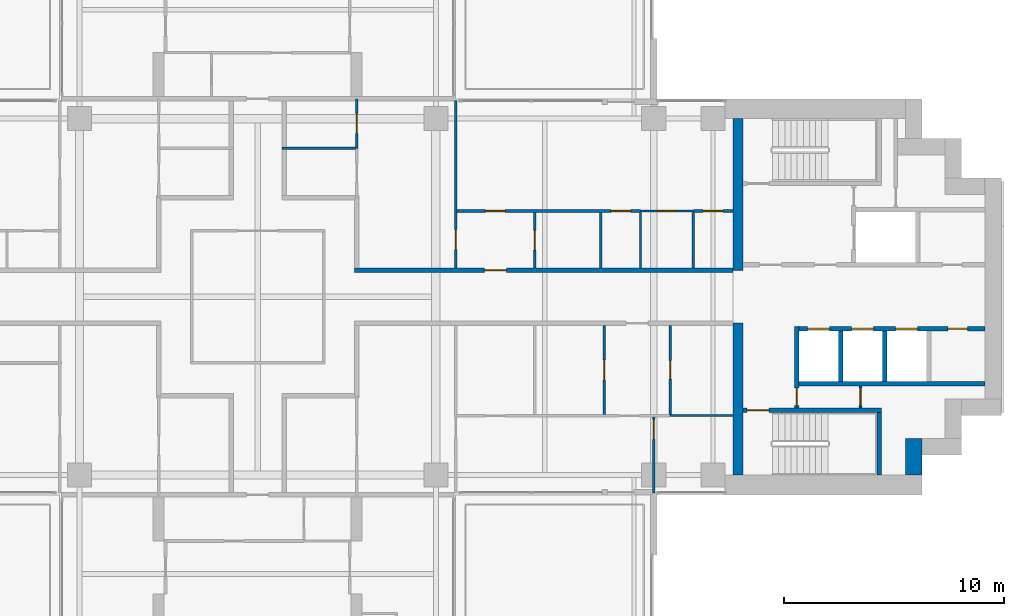
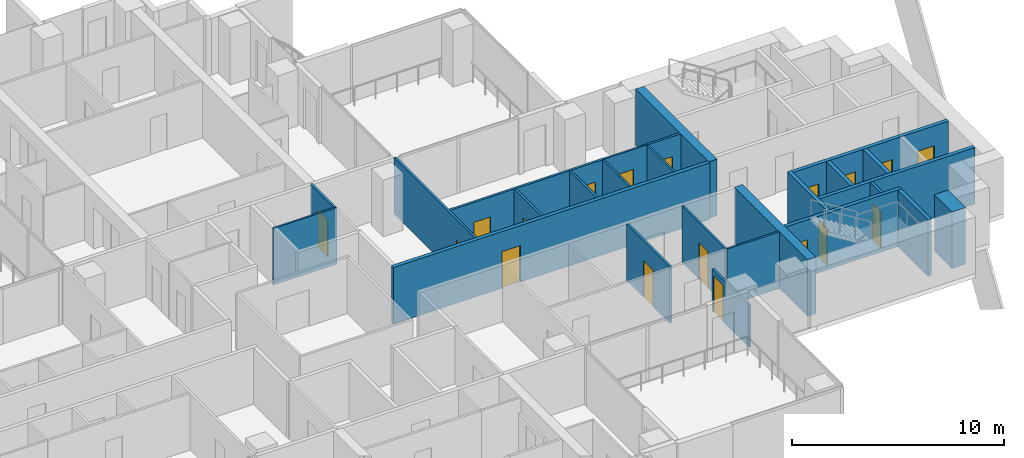
# One storey, part 12 of 19: 26 walls, 18 doors, 18 openings.
"""IFC4 building model written with IfcOpenShell, lengths in metres."""

from ifc_helpers import new_model, si_unit, direction, frame, frame_2d, origin, place, context, subcontext, project, spatial, rectangle, extrude, material, layer, layer_set, type_object, element, fill, save


model = new_model("IFC4")

# Units and contexts
model_context = context("Model", 3, precision=1e-05, world=origin(), true_north=direction((0.0, 1.0)))
body_context = subcontext(model_context, "Body", "Model", "MODEL_VIEW")
ifc_project = project(units=[si_unit("LENGTHUNIT", "METRE"), si_unit("AREAUNIT", "SQUARE_METRE"), si_unit("VOLUMEUNIT", "CUBIC_METRE"), si_unit("PLANEANGLEUNIT", "RADIAN"), si_unit("MASSUNIT", "GRAM", prefix="KILO")], contexts=[model_context])

# Site, building, storey
site_placement = place(None, origin())
site = spatial("IfcSite", under=ifc_project, at=site_placement, CompositionType="ELEMENT")
building_placement = place(site_placement, origin())
building = spatial("IfcBuilding", under=site, at=building_placement, Name="Perihelion Cross Residences", CompositionType="ELEMENT")
storey_placement = place(building_placement, frame((0.0, 0.0, 109.39990234375)))
storey = spatial("IfcBuildingStorey", under=building, at=storey_placement, Name="L25", CompositionType="ELEMENT", Elevation=109.39990234375)

# Wall, opening, door
ifc_material_1 = material(Name="Plasterboard partition")
ifc_layer_1 = layer(ifc_material_1, 0.199951171875)
ifc_layer_set_1 = layer_set([ifc_layer_1], Name="Apartment separation wall 200")
wall_type_1 = type_object("IfcWallType", Name="Apartment separation wall 200", PredefinedType="PARTITIONING", material=ifc_layer_set_1)
wall_1_placement = place(storey_placement, frame((4.39990234375, 1.199951171875, 0.0), z_axis=(0.0, 0.0, 1.0), x_axis=(1.0, 0.0, 0.0)))
wall_1 = element("IfcWall", 1, at=wall_1_placement, inside=storey, type_object=wall_type_1, Name="Partition L25 W005", PredefinedType="PARTITIONING", context=body_context, shape_type="SweptSolid", body=[
    extrude(rectangle(XDim=17.2001953125, YDim=0.199951171875, at=frame_2d((8.60009765625, 0.0))), origin(), (0.0, 0.0, 1.0), 3.25),
])
opening_1_placement = place(wall_1_placement, frame((5.89990234375, 0.0, 0.0)))
opening_1 = element("IfcOpeningElement", 2, at=opening_1_placement, cuts=wall_1, Name="Opening L25.A46", PredefinedType="OPENING", context=body_context, shape_type="SweptSolid", body=[
    extrude(rectangle(XDim=1.0, YDim=2.10009765625, at=frame_2d((0.5, 1.050048828125))), frame((0.0, 0.10986328125, 0.0), z_axis=(0.0, -1.0, 0.0), x_axis=(1.0, 0.0, 0.0)), (0.0, 0.0, 1.0), 0.219970703125),
])
ifc_material_2 = material(Name="Timber door leaf", Category="wood")
door_type_1 = type_object("IfcDoorType", Name="Flat entrance door 1000 x 2100", OperationType="SINGLE_SWING_LEFT", PredefinedType="DOOR", material=ifc_material_2)
door_1_placement = place(opening_1_placement, origin())
door_1 = element("IfcDoor", 3, at=door_1_placement, inside=storey, type_object=door_type_1, Name="Door L25.A46", OperationType="SINGLE_SWING_LEFT", OverallHeight=2.10009765625, OverallWidth=1.0, PredefinedType="DOOR", context=body_context, shape_type="SweptSolid", body=[
    extrude(rectangle(XDim=1.0, YDim=2.10009765625, at=frame_2d((0.5, 1.050048828125))), frame((0.0, 0.02490234375, 0.0), z_axis=(0.0, -1.0, 0.0), x_axis=(1.0, 0.0, 0.0)), (0.0, 0.0, 1.0), 0.050048828125),
])
fill(opening_1, door_1)

# Walls
ifc_material_3 = material(Name="Concrete C60/75", Category="concrete")
ifc_layer_2 = layer(ifc_material_3, 0.449951171875)
ifc_layer_set_2 = layer_set([ifc_layer_2], Name="Core wall, inner 450")
wall_type_2 = type_object("IfcWallType", Name="Core wall, inner 450", PredefinedType="SHEAR", material=ifc_layer_set_2)
for number, where, z_axis, x_axis, name in (
    (4, (21.824951171875, -8.10009765625, 0.0), (0.0, 0.0, 1.0), (0.0, 1.0, 0.0), "East core core wall, inner"),
    (5, (21.824951171875, 1.199951171875, 0.0), (0.0, 0.0, 1.0), (0.0, 1.0, 0.0), "East core core wall, inner"),
):
    element("IfcWall", number, at=place(storey_placement, frame(where, z_axis=z_axis, x_axis=x_axis)), inside=storey, type_object=wall_type_2, Name=name, PredefinedType="SHEAR", context=body_context, shape_type="SweptSolid", body=[
        extrude(rectangle(XDim=6.900146484375, YDim=0.449951171875, at=frame_2d((3.4501953125, 0.0))), origin(), (0.0, 0.0, 1.0), 3.25),
    ])
ifc_material_4 = material(Name="Concrete C60/75", Category="concrete")
ifc_layer_3 = layer(ifc_material_4, 0.75)
ifc_layer_set_3 = layer_set([ifc_layer_3], Name="Core wall, outer 750")
wall_type_3 = type_object("IfcWallType", Name="Core wall, outer 750", PredefinedType="SHEAR", material=ifc_layer_set_3)
wall_2_placement = place(storey_placement, frame((29.824951171875, -8.10009765625, 0.0), z_axis=(0.0, 0.0, 1.0), x_axis=(0.0, 1.0, 0.0)))
element("IfcWall", 6, at=wall_2_placement, inside=storey, type_object=wall_type_3, Name="East core core wall, outer", PredefinedType="SHEAR", context=body_context, shape_type="SweptSolid", body=[
    extrude(rectangle(XDim=1.650146484375, YDim=0.75, at=frame_2d((0.8251953125, 0.0))), origin(), (0.0, 0.0, 1.0), 3.25),
])

# Wall, opening, door
ifc_material_5 = material(Name="Concrete C50/60", Category="concrete")
ifc_layer_4 = layer(ifc_material_5, 0.199951171875)
ifc_layer_set_4 = layer_set([ifc_layer_4], Name="Lobby wall 200")
wall_type_4 = type_object("IfcWallType", Name="Lobby wall 200", PredefinedType="SOLIDWALL", material=ifc_layer_set_4)
wall_3_placement = place(storey_placement, frame((24.5, -5.050048828125, 0.0), z_axis=(0.0, 0.0, 1.0), x_axis=(0.0, 1.0, 0.0)))
wall_3 = element("IfcWall", 7, at=wall_3_placement, inside=storey, type_object=wall_type_4, Name="East core lobby wall", PredefinedType="SOLIDWALL", context=body_context, shape_type="SweptSolid", body=[
    extrude(rectangle(XDim=3.699951171875, YDim=0.199951171875, at=frame_2d((1.85009765625, 0.0))), origin(), (0.0, 0.0, 1.0), 3.25),
])
opening_2_placement = place(wall_3_placement, frame((0.10009765625, 0.0, 0.0)))
opening_2 = element("IfcOpeningElement", 8, at=opening_2_placement, cuts=wall_3, Name="Opening L25.C08", PredefinedType="OPENING", context=body_context, shape_type="SweptSolid", body=[
    extrude(rectangle(XDim=0.800048828125, YDim=2.10009765625, at=frame_2d((0.39990234375, 1.050048828125))), frame((0.0, 0.10986328125, 0.0), z_axis=(0.0, -1.0, 0.0), x_axis=(1.0, 0.0, 0.0)), (0.0, 0.0, 1.0), 0.219970703125),
])
ifc_material_6 = material(Name="Steel, powder coated", Category="steel")
door_type_2 = type_object("IfcDoorType", Name="Riser door 800", OperationType="SINGLE_SWING_LEFT", PredefinedType="DOOR", material=ifc_material_6)
door_2_placement = place(opening_2_placement, origin())
door_2 = element("IfcDoor", 9, at=door_2_placement, inside=storey, type_object=door_type_2, Name="East core riser door", OperationType="SINGLE_SWING_LEFT", OverallHeight=2.10009765625, OverallWidth=0.800048828125, PredefinedType="DOOR", context=body_context, shape_type="SweptSolid", body=[
    extrude(rectangle(XDim=0.800048828125, YDim=2.10009765625, at=frame_2d((0.39990234375, 1.050048828125))), frame((0.0, 0.02490234375, 0.0), z_axis=(0.0, -1.0, 0.0), x_axis=(1.0, 0.0, 0.0)), (0.0, 0.0, 1.0), 0.050048828125),
])
fill(opening_2, door_2)

ifc_material_7 = material(Name="Plasterboard partition")
ifc_layer_5 = layer(ifc_material_7, 0.1201171875)
ifc_layer_set_5 = layer_set([ifc_layer_5], Name="Partition wall 120")
wall_type_5 = type_object("IfcWallType", Name="Partition wall 120", PredefinedType="PARTITIONING", material=ifc_layer_set_5)
wall_4_placement = place(storey_placement, frame((12.60009765625, 3.840087890625, 0.0), z_axis=(0.0, 0.0, 1.0), x_axis=(0.0, -1.0, 0.0)))
wall_4 = element("IfcWall", 10, at=wall_4_placement, inside=storey, type_object=wall_type_5, Name="Partition L25 W023", PredefinedType="PARTITIONING", context=body_context, shape_type="SweptSolid", body=[
    extrude(rectangle(XDim=2.5400390625, YDim=0.1201171875, at=frame_2d((1.27001953125, 0.0))), origin(), (0.0, 0.0, 1.0), 3.25),
])
opening_3_placement = place(wall_4_placement, frame((0.820068359375, 0.0, 0.0)))
opening_3 = element("IfcOpeningElement", 11, at=opening_3_placement, cuts=wall_4, Name="Opening L25.A06", PredefinedType="OPENING", context=body_context, shape_type="SweptSolid", body=[
    extrude(rectangle(XDim=0.89990234375, YDim=2.10009765625, at=frame_2d((0.449951171875, 1.050048828125))), frame((0.0, 0.070068359375, 0.0), z_axis=(0.0, -1.0, 0.0), x_axis=(1.0, 0.0, 0.0)), (0.0, 0.0, 1.0), 0.14013671875),
])
ifc_material_8 = material(Name="Timber door leaf", Category="wood")
door_type_3 = type_object("IfcDoorType", Name="Interior room door 900 x 2100", OperationType="SINGLE_SWING_LEFT", PredefinedType="DOOR", material=ifc_material_8)
door_3_placement = place(opening_3_placement, origin())
door_3 = element("IfcDoor", 12, at=door_3_placement, inside=storey, type_object=door_type_3, Name="Door L25.A06", OperationType="SINGLE_SWING_RIGHT", OverallHeight=2.10009765625, OverallWidth=0.89990234375, PredefinedType="DOOR", context=body_context, shape_type="SweptSolid", body=[
    extrude(rectangle(XDim=0.89990234375, YDim=2.10009765625, at=frame_2d((0.449951171875, 1.050048828125))), frame((0.0, 0.02490234375, 0.0), z_axis=(0.0, -1.0, 0.0), x_axis=(1.0, 0.0, 0.0)), (0.0, 0.0, 1.0), 0.050048828125),
])
fill(opening_3, door_3)

# Wall, openings, doors
wall_5_placement = place(storey_placement, frame((8.93994140625, 3.89990234375, 0.0), z_axis=(0.0, 0.0, 1.0), x_axis=(1.0, 0.0, 0.0)))
wall_5 = element("IfcWall", 13, at=wall_5_placement, inside=storey, type_object=wall_type_5, Name="Partition L25 W024", PredefinedType="PARTITIONING", context=body_context, shape_type="SweptSolid", body=[
    extrude(rectangle(XDim=8.4599609375, YDim=0.1201171875, at=frame_2d((4.22998046875, 0.0))), origin(), (0.0, 0.0, 1.0), 3.25),
])
opening_4_placement = place(wall_5_placement, frame((7.110107421875, 0.0, 0.0)))
opening_4 = element("IfcOpeningElement", 14, at=opening_4_placement, cuts=wall_5, Name="Opening L25.A07", PredefinedType="OPENING", context=body_context, shape_type="SweptSolid", body=[
    extrude(rectangle(XDim=0.89990234375, YDim=2.10009765625, at=frame_2d((0.449951171875, 1.050048828125))), frame((0.0, 0.070068359375, 0.0), z_axis=(0.0, -1.0, 0.0), x_axis=(1.0, 0.0, 0.0)), (0.0, 0.0, 1.0), 0.14013671875),
])
opening_5_placement = place(wall_5_placement, frame((1.409912109375, 0.0, 0.0)))
opening_5 = element("IfcOpeningElement", 15, at=opening_5_placement, cuts=wall_5, Name="Opening L25.A09", PredefinedType="OPENING", context=body_context, shape_type="SweptSolid", body=[
    extrude(rectangle(XDim=0.89990234375, YDim=2.10009765625, at=frame_2d((0.449951171875, 1.050048828125))), frame((0.0, 0.070068359375, 0.0), z_axis=(0.0, -1.0, 0.0), x_axis=(1.0, 0.0, 0.0)), (0.0, 0.0, 1.0), 0.14013671875),
])
door_4_placement = place(opening_4_placement, origin())
door_4 = element("IfcDoor", 16, at=door_4_placement, inside=storey, type_object=door_type_3, Name="Door L25.A07", OperationType="SINGLE_SWING_RIGHT", OverallHeight=2.10009765625, OverallWidth=0.89990234375, PredefinedType="DOOR", context=body_context, shape_type="SweptSolid", body=[
    extrude(rectangle(XDim=0.89990234375, YDim=2.10009765625, at=frame_2d((0.449951171875, 1.050048828125))), frame((0.0, 0.02490234375, 0.0), z_axis=(0.0, -1.0, 0.0), x_axis=(1.0, 0.0, 0.0)), (0.0, 0.0, 1.0), 0.050048828125),
])
fill(opening_4, door_4)
door_5_placement = place(opening_5_placement, origin())
door_5 = element("IfcDoor", 17, at=door_5_placement, inside=storey, type_object=door_type_3, Name="Door L25.A09", OperationType="SINGLE_SWING_RIGHT", OverallHeight=2.10009765625, OverallWidth=0.89990234375, PredefinedType="DOOR", context=body_context, shape_type="SweptSolid", body=[
    extrude(rectangle(XDim=0.89990234375, YDim=2.10009765625, at=frame_2d((0.449951171875, 1.050048828125))), frame((0.0, 0.02490234375, 0.0), z_axis=(0.0, -1.0, 0.0), x_axis=(1.0, 0.0, 0.0)), (0.0, 0.0, 1.0), 0.050048828125),
])
fill(opening_5, door_5)

# Wall, opening, door
wall_6_placement = place(storey_placement, frame((9.0, 1.300048828125, 0.0), z_axis=(0.0, 0.0, 1.0), x_axis=(0.0, 1.0, 0.0)))
wall_6 = element("IfcWall", 18, at=wall_6_placement, inside=storey, type_object=wall_type_5, Name="Partition L25 W025", PredefinedType="PARTITIONING", context=body_context, shape_type="SweptSolid", body=[
    extrude(rectangle(XDim=7.619873046875, YDim=0.1201171875, at=frame_2d((3.81005859375, 0.0))), origin(), (0.0, 0.0, 1.0), 3.25),
])
opening_6_placement = place(wall_6_placement, frame((0.85009765625, 0.0, 0.0)))
opening_6 = element("IfcOpeningElement", 19, at=opening_6_placement, cuts=wall_6, Name="Opening L25.A05", PredefinedType="OPENING", context=body_context, shape_type="SweptSolid", body=[
    extrude(rectangle(XDim=0.89990234375, YDim=2.10009765625, at=frame_2d((0.449951171875, 1.050048828125))), frame((0.0, 0.070068359375, 0.0), z_axis=(0.0, -1.0, 0.0), x_axis=(1.0, 0.0, 0.0)), (0.0, 0.0, 1.0), 0.14013671875),
])
door_6_placement = place(opening_6_placement, origin())
door_6 = element("IfcDoor", 20, at=door_6_placement, inside=storey, type_object=door_type_3, Name="Door L25.A05", OperationType="SINGLE_SWING_LEFT", OverallHeight=2.10009765625, OverallWidth=0.89990234375, PredefinedType="DOOR", context=body_context, shape_type="SweptSolid", body=[
    extrude(rectangle(XDim=0.89990234375, YDim=2.10009765625, at=frame_2d((0.449951171875, 1.050048828125))), frame((0.0, 0.02490234375, 0.0), z_axis=(0.0, -1.0, 0.0), x_axis=(1.0, 0.0, 0.0)), (0.0, 0.0, 1.0), 0.050048828125),
])
fill(opening_6, door_6)

# Wall
wall_7_placement = place(storey_placement, frame((15.60009765625, 3.840087890625, 0.0), z_axis=(0.0, 0.0, 1.0), x_axis=(0.0, -1.0, 0.0)))
element("IfcWall", 21, at=wall_7_placement, inside=storey, type_object=wall_type_5, Name="Partition L25 W026", PredefinedType="PARTITIONING", context=body_context, shape_type="SweptSolid", body=[
    extrude(rectangle(XDim=2.5400390625, YDim=0.1201171875, at=frame_2d((1.27001953125, 0.0))), origin(), (0.0, 0.0, 1.0), 3.25),
])

# Wall, opening, door
wall_8_placement = place(storey_placement, frame((19.800048828125, 3.89990234375, 0.0), z_axis=(0.0, 0.0, 1.0), x_axis=(1.0, 0.0, 0.0)))
wall_8 = element("IfcWall", 22, at=wall_8_placement, inside=storey, type_object=wall_type_5, Name="Partition L25 W030", PredefinedType="PARTITIONING", context=body_context, shape_type="SweptSolid", body=[
    extrude(rectangle(XDim=1.800048828125, YDim=0.1201171875, at=frame_2d((0.89990234375, 0.0))), origin(), (0.0, 0.0, 1.0), 3.25),
])
opening_7_placement = place(wall_8_placement, frame((0.449951171875, 0.0, 0.0)))
opening_7 = element("IfcOpeningElement", 23, at=opening_7_placement, cuts=wall_8, Name="Opening L25.A03", PredefinedType="OPENING", context=body_context, shape_type="SweptSolid", body=[
    extrude(rectangle(XDim=0.89990234375, YDim=2.10009765625, at=frame_2d((0.449951171875, 1.050048828125))), frame((0.0, 0.070068359375, 0.0), z_axis=(0.0, -1.0, 0.0), x_axis=(1.0, 0.0, 0.0)), (0.0, 0.0, 1.0), 0.14013671875),
])
door_7_placement = place(opening_7_placement, origin())
door_7 = element("IfcDoor", 24, at=door_7_placement, inside=storey, type_object=door_type_3, Name="Door L25.A03", OperationType="SINGLE_SWING_RIGHT", OverallHeight=2.10009765625, OverallWidth=0.89990234375, PredefinedType="DOOR", context=body_context, shape_type="SweptSolid", body=[
    extrude(rectangle(XDim=0.89990234375, YDim=2.10009765625, at=frame_2d((0.449951171875, 1.050048828125))), frame((0.0, 0.02490234375, 0.0), z_axis=(0.0, -1.0, 0.0), x_axis=(1.0, 0.0, 0.0)), (0.0, 0.0, 1.0), 0.050048828125),
])
fill(opening_7, door_7)

wall_9_placement = place(storey_placement, frame((4.5, 6.75, 0.0), z_axis=(0.0, 0.0, 1.0), x_axis=(0.0, 1.0, 0.0)))
wall_9 = element("IfcWall", 25, at=wall_9_placement, inside=storey, type_object=wall_type_5, Name="Partition L25 W032", PredefinedType="PARTITIONING", context=body_context, shape_type="SweptSolid", body=[
    extrude(rectangle(XDim=2.25, YDim=0.1201171875, at=frame_2d((1.125, 0.0))), origin(), (0.0, 0.0, 1.0), 3.25),
])
opening_8_placement = place(wall_9_placement, frame((0.675048828125, 0.0, 0.0)))
opening_8 = element("IfcOpeningElement", 26, at=opening_8_placement, cuts=wall_9, Name="Opening L25.A08", PredefinedType="OPENING", context=body_context, shape_type="SweptSolid", body=[
    extrude(rectangle(XDim=0.89990234375, YDim=2.10009765625, at=frame_2d((0.449951171875, 1.050048828125))), frame((0.0, 0.070068359375, 0.0), z_axis=(0.0, -1.0, 0.0), x_axis=(1.0, 0.0, 0.0)), (0.0, 0.0, 1.0), 0.14013671875),
])
door_8_placement = place(opening_8_placement, origin())
door_8 = element("IfcDoor", 27, at=door_8_placement, inside=storey, type_object=door_type_3, Name="Door L25.A08", OperationType="SINGLE_SWING_RIGHT", OverallHeight=2.10009765625, OverallWidth=0.89990234375, PredefinedType="DOOR", context=body_context, shape_type="SweptSolid", body=[
    extrude(rectangle(XDim=0.89990234375, YDim=2.10009765625, at=frame_2d((0.449951171875, 1.050048828125))), frame((0.0, 0.02490234375, 0.0), z_axis=(0.0, -1.0, 0.0), x_axis=(1.0, 0.0, 0.0)), (0.0, 0.0, 1.0), 0.050048828125),
])
fill(opening_8, door_8)

wall_10_placement = place(storey_placement, frame((15.75, -1.300048828125, 0.0), z_axis=(0.0, 0.0, 1.0), x_axis=(0.0, -1.0, 0.0)))
wall_10 = element("IfcWall", 28, at=wall_10_placement, inside=storey, type_object=wall_type_5, Name="Partition L25 W037", PredefinedType="PARTITIONING", context=body_context, shape_type="SweptSolid", body=[
    extrude(rectangle(XDim=4.0400390625, YDim=0.1201171875, at=frame_2d((2.02001953125, 0.0))), origin(), (0.0, 0.0, 1.0), 3.25),
])
opening_9_placement = place(wall_10_placement, frame((1.570068359375, 0.0, 0.0)))
opening_9 = element("IfcOpeningElement", 29, at=opening_9_placement, cuts=wall_10, Name="Opening L25.A16", PredefinedType="OPENING", context=body_context, shape_type="SweptSolid", body=[
    extrude(rectangle(XDim=0.89990234375, YDim=2.10009765625, at=frame_2d((0.449951171875, 1.050048828125))), frame((0.0, 0.070068359375, 0.0), z_axis=(0.0, -1.0, 0.0), x_axis=(1.0, 0.0, 0.0)), (0.0, 0.0, 1.0), 0.14013671875),
])
door_9_placement = place(opening_9_placement, origin())
door_9 = element("IfcDoor", 30, at=door_9_placement, inside=storey, type_object=door_type_3, Name="Door L25.A16", OperationType="SINGLE_SWING_RIGHT", OverallHeight=2.10009765625, OverallWidth=0.89990234375, PredefinedType="DOOR", context=body_context, shape_type="SweptSolid", body=[
    extrude(rectangle(XDim=0.89990234375, YDim=2.10009765625, at=frame_2d((0.449951171875, 1.050048828125))), frame((0.0, 0.02490234375, 0.0), z_axis=(0.0, -1.0, 0.0), x_axis=(1.0, 0.0, 0.0)), (0.0, 0.0, 1.0), 0.050048828125),
])
fill(opening_9, door_9)

wall_11_placement = place(storey_placement, frame((18.0, -5.4599609375, 0.0), z_axis=(0.0, 0.0, 1.0), x_axis=(0.0, -1.0, 0.0)))
wall_11 = element("IfcWall", 31, at=wall_11_placement, inside=storey, type_object=wall_type_5, Name="Partition L25 W040", PredefinedType="PARTITIONING", context=body_context, shape_type="SweptSolid", body=[
    extrude(rectangle(XDim=3.4599609375, YDim=0.1201171875, at=frame_2d((1.72998046875, 0.0))), origin(), (0.0, 0.0, 1.0), 2.4140625),
])
opening_10_placement = place(wall_11_placement, frame((0.1201171875, 0.0, 0.0)))
opening_10 = element("IfcOpeningElement", 32, at=opening_10_placement, cuts=wall_11, Name="Opening L25.A10", PredefinedType="OPENING", context=body_context, shape_type="SweptSolid", body=[
    extrude(rectangle(XDim=0.89990234375, YDim=2.10009765625, at=frame_2d((0.449951171875, 1.050048828125))), frame((0.0, 0.070068359375, 0.0), z_axis=(0.0, -1.0, 0.0), x_axis=(1.0, 0.0, 0.0)), (0.0, 0.0, 1.0), 0.14013671875),
])
door_10_placement = place(opening_10_placement, origin())
door_10 = element("IfcDoor", 33, at=door_10_placement, inside=storey, type_object=door_type_3, Name="Door L25.A10", OperationType="SINGLE_SWING_LEFT", OverallHeight=2.10009765625, OverallWidth=0.89990234375, PredefinedType="DOOR", context=body_context, shape_type="SweptSolid", body=[
    extrude(rectangle(XDim=0.89990234375, YDim=2.10009765625, at=frame_2d((0.449951171875, 1.050048828125))), frame((0.0, 0.02490234375, 0.0), z_axis=(0.0, -1.0, 0.0), x_axis=(1.0, 0.0, 0.0)), (0.0, 0.0, 1.0), 0.050048828125),
])
fill(opening_10, door_10)

ifc_material_9 = material(Name="Fire-rated board on steel stud", Category="steel")
ifc_layer_6 = layer(ifc_material_9, 0.14990234375)
ifc_layer_set_6 = layer_set([ifc_layer_6], Name="Riser wall 150")
wall_type_6 = type_object("IfcWallType", Name="Riser wall 150", PredefinedType="PARTITIONING", material=ifc_layer_set_6)
wall_12_placement = place(storey_placement, frame((27.39990234375, -5.050048828125, 0.0), z_axis=(0.0, 0.0, 1.0), x_axis=(0.0, 1.0, 0.0)))
wall_12 = element("IfcWall", 34, at=wall_12_placement, inside=storey, type_object=wall_type_6, Name="East core riser wall", PredefinedType="PARTITIONING", context=body_context, shape_type="SweptSolid", body=[
    extrude(rectangle(XDim=1.0, YDim=0.14990234375, at=frame_2d((0.5, 0.0))), origin(), (0.0, 0.0, 1.0), 3.25),
])
opening_11_placement = place(wall_12_placement, frame((0.10009765625, 0.0, 0.0)))
opening_11 = element("IfcOpeningElement", 35, at=opening_11_placement, cuts=wall_12, Name="Opening L25.C11", PredefinedType="OPENING", context=body_context, shape_type="SweptSolid", body=[
    extrude(rectangle(XDim=0.800048828125, YDim=2.10009765625, at=frame_2d((0.39990234375, 1.050048828125))), frame((0.0, 0.0849609375, 0.0), z_axis=(0.0, -1.0, 0.0), x_axis=(1.0, 0.0, 0.0)), (0.0, 0.0, 1.0), 0.169921875),
])
door_11_placement = place(opening_11_placement, origin())
door_11 = element("IfcDoor", 36, at=door_11_placement, inside=storey, type_object=door_type_2, Name="East core riser door", OperationType="SINGLE_SWING_LEFT", OverallHeight=2.10009765625, OverallWidth=0.800048828125, PredefinedType="DOOR", context=body_context, shape_type="SweptSolid", body=[
    extrude(rectangle(XDim=0.800048828125, YDim=2.10009765625, at=frame_2d((0.39990234375, 1.050048828125))), frame((0.0, 0.02490234375, 0.0), z_axis=(0.0, -1.0, 0.0), x_axis=(1.0, 0.0, 0.0)), (0.0, 0.0, 1.0), 0.050048828125),
])
fill(opening_11, door_11)

# Wall, openings, doors
ifc_material_10 = material(Name="Concrete C50/60", Category="concrete")
ifc_layer_7 = layer(ifc_material_10, 0.199951171875)
ifc_layer_set_7 = layer_set([ifc_layer_7], Name="Shaft wall 200")
wall_type_7 = type_object("IfcWallType", Name="Shaft wall 200", PredefinedType="SOLIDWALL", material=ifc_layer_set_7)
wall_13_placement = place(storey_placement, frame((24.60009765625, -1.449951171875, 0.0), z_axis=(0.0, 0.0, 1.0), x_axis=(1.0, 0.0, 0.0)))
wall_13 = element("IfcWall", 37, at=wall_13_placement, inside=storey, type_object=wall_type_7, Name="East core shaft wall", PredefinedType="SOLIDWALL", context=body_context, shape_type="SweptSolid", body=[
    extrude(rectangle(XDim=8.449951171875, YDim=0.199951171875, at=frame_2d((4.22509765625, 0.0))), origin(), (0.0, 0.0, 1.0), 3.25),
])
opening_12_placement = place(wall_13_placement, frame((0.39990234375, 0.0, 0.0)))
opening_12 = element("IfcOpeningElement", 38, at=opening_12_placement, cuts=wall_13, Name="Opening L25.C01", PredefinedType="OPENING", context=body_context, shape_type="SweptSolid", body=[
    extrude(rectangle(XDim=1.0, YDim=2.10009765625, at=frame_2d((0.5, 1.050048828125))), frame((0.0, 0.10986328125, 0.0), z_axis=(0.0, -1.0, 0.0), x_axis=(1.0, 0.0, 0.0)), (0.0, 0.0, 1.0), 0.219970703125),
])
opening_13_placement = place(wall_13_placement, frame((2.39990234375, 0.0, 0.0)))
opening_13 = element("IfcOpeningElement", 39, at=opening_13_placement, cuts=wall_13, Name="Opening L25.C03", PredefinedType="OPENING", context=body_context, shape_type="SweptSolid", body=[
    extrude(rectangle(XDim=1.0, YDim=2.10009765625, at=frame_2d((0.5, 1.050048828125))), frame((0.0, 0.10986328125, 0.0), z_axis=(0.0, -1.0, 0.0), x_axis=(1.0, 0.0, 0.0)), (0.0, 0.0, 1.0), 0.219970703125),
])
opening_14_placement = place(wall_13_placement, frame((4.39990234375, 0.0, 0.0)))
opening_14 = element("IfcOpeningElement", 40, at=opening_14_placement, cuts=wall_13, Name="Opening L25.C04", PredefinedType="OPENING", context=body_context, shape_type="SweptSolid", body=[
    extrude(rectangle(XDim=1.0, YDim=2.10009765625, at=frame_2d((0.5, 1.050048828125))), frame((0.0, 0.10986328125, 0.0), z_axis=(0.0, -1.0, 0.0), x_axis=(1.0, 0.0, 0.0)), (0.0, 0.0, 1.0), 0.219970703125),
])
opening_15_placement = place(wall_13_placement, frame((6.77490234375, 0.0, 0.0)))
opening_15 = element("IfcOpeningElement", 41, at=opening_15_placement, cuts=wall_13, Name="Opening L25.C14", PredefinedType="OPENING", context=body_context, shape_type="SweptSolid", body=[
    extrude(rectangle(XDim=0.89990234375, YDim=2.10009765625, at=frame_2d((0.449951171875, 1.050048828125))), frame((0.0, 0.10986328125, 0.0), z_axis=(0.0, -1.0, 0.0), x_axis=(1.0, 0.0, 0.0)), (0.0, 0.0, 1.0), 0.219970703125),
])
ifc_material_11 = material(Name="Stainless steel", Category="steel")
door_type_4 = type_object("IfcDoorType", Name="Landing door 1000", OperationType="DOUBLE_DOOR_SLIDING", PredefinedType="DOOR", material=ifc_material_11)
door_12_placement = place(opening_12_placement, origin())
door_12 = element("IfcDoor", 42, at=door_12_placement, inside=storey, type_object=door_type_4, Name="Landing door, East core high-rise lift 1", OperationType="DOUBLE_DOOR_SLIDING", OverallHeight=2.10009765625, OverallWidth=1.0, PredefinedType="DOOR", context=body_context, shape_type="SweptSolid", body=[
    extrude(rectangle(XDim=1.0, YDim=2.10009765625, at=frame_2d((0.5, 1.050048828125))), frame((0.0, 0.02490234375, 0.0), z_axis=(0.0, -1.0, 0.0), x_axis=(1.0, 0.0, 0.0)), (0.0, 0.0, 1.0), 0.050048828125),
])
fill(opening_12, door_12)
door_13_placement = place(opening_13_placement, origin())
door_13 = element("IfcDoor", 43, at=door_13_placement, inside=storey, type_object=door_type_4, Name="Landing door, East core high-rise lift 2", OperationType="DOUBLE_DOOR_SLIDING", OverallHeight=2.10009765625, OverallWidth=1.0, PredefinedType="DOOR", context=body_context, shape_type="SweptSolid", body=[
    extrude(rectangle(XDim=1.0, YDim=2.10009765625, at=frame_2d((0.5, 1.050048828125))), frame((0.0, 0.02490234375, 0.0), z_axis=(0.0, -1.0, 0.0), x_axis=(1.0, 0.0, 0.0)), (0.0, 0.0, 1.0), 0.050048828125),
])
fill(opening_13, door_13)
door_14_placement = place(opening_14_placement, origin())
door_14 = element("IfcDoor", 44, at=door_14_placement, inside=storey, type_object=door_type_4, Name="Landing door, East core high-rise lift 3", OperationType="DOUBLE_DOOR_SLIDING", OverallHeight=2.10009765625, OverallWidth=1.0, PredefinedType="DOOR", context=body_context, shape_type="SweptSolid", body=[
    extrude(rectangle(XDim=1.0, YDim=2.10009765625, at=frame_2d((0.5, 1.050048828125))), frame((0.0, 0.02490234375, 0.0), z_axis=(0.0, -1.0, 0.0), x_axis=(1.0, 0.0, 0.0)), (0.0, 0.0, 1.0), 0.050048828125),
])
fill(opening_14, door_14)
ifc_material_12 = material(Name="Steel, powder coated", Category="steel")
door_type_5 = type_object("IfcDoorType", Name="Service room door 900", OperationType="SINGLE_SWING_LEFT", PredefinedType="DOOR", material=ifc_material_12)
door_15_placement = place(opening_15_placement, origin())
door_15 = element("IfcDoor", 45, at=door_15_placement, inside=storey, type_object=door_type_5, Name="East core service room door", OperationType="SINGLE_SWING_LEFT", OverallHeight=2.10009765625, OverallWidth=0.89990234375, PredefinedType="DOOR", context=body_context, shape_type="SweptSolid", body=[
    extrude(rectangle(XDim=0.89990234375, YDim=2.10009765625, at=frame_2d((0.449951171875, 1.050048828125))), frame((0.0, 0.02490234375, 0.0), z_axis=(0.0, -1.0, 0.0), x_axis=(1.0, 0.0, 0.0)), (0.0, 0.0, 1.0), 0.050048828125),
])
fill(opening_15, door_15)

# Walls
wall_14_placement = place(storey_placement, frame((24.60009765625, -3.949951171875, 0.0), z_axis=(0.0, 0.0, 1.0), x_axis=(1.0, 0.0, 0.0)))
element("IfcWall", 46, at=wall_14_placement, inside=storey, type_object=wall_type_7, Name="East core shaft wall", PredefinedType="SOLIDWALL", context=body_context, shape_type="SweptSolid", body=[
    extrude(rectangle(XDim=8.449951171875, YDim=0.199951171875, at=frame_2d((4.22509765625, 0.0))), origin(), (0.0, 0.0, 1.0), 3.25),
])
for number, where, z_axis, x_axis, name in (
    (47, (26.5, -3.85009765625, 0.0), (0.0, 0.0, 1.0), (0.0, 1.0, 0.0), "East core shaft wall"),
    (48, (28.5, -3.85009765625, 0.0), (0.0, 0.0, 1.0), (0.0, 1.0, 0.0), "East core shaft wall"),
):
    element("IfcWall", number, at=place(storey_placement, frame(where, z_axis=z_axis, x_axis=x_axis)), inside=storey, type_object=wall_type_7, Name=name, PredefinedType="SOLIDWALL", context=body_context, shape_type="SweptSolid", body=[
        extrude(rectangle(XDim=2.300048828125, YDim=0.199951171875, at=frame_2d((1.14990234375, 0.0))), origin(), (0.0, 0.0, 1.0), 3.25),
    ])

# Wall, opening, door
ifc_material_13 = material(Name="Concrete C50/60", Category="concrete")
ifc_layer_8 = layer(ifc_material_13, 0.199951171875)
ifc_layer_set_8 = layer_set([ifc_layer_8], Name="Stair wall 200")
wall_type_8 = type_object("IfcWallType", Name="Stair wall 200", PredefinedType="SOLIDWALL", material=ifc_layer_set_8)
wall_15_placement = place(storey_placement, frame((22.050048828125, -5.14990234375, 0.0), z_axis=(0.0, 0.0, 1.0), x_axis=(1.0, 0.0, 0.0)))
wall_15 = element("IfcWall", 49, at=wall_15_placement, inside=storey, type_object=wall_type_8, Name="East core stair wall", PredefinedType="SOLIDWALL", context=body_context, shape_type="SweptSolid", body=[
    extrude(rectangle(XDim=6.300048828125, YDim=0.199951171875, at=frame_2d((3.14990234375, 0.0))), origin(), (0.0, 0.0, 1.0), 3.25),
])
opening_16_placement = place(wall_15_placement, frame((0.199951171875, 0.0, 0.0)))
opening_16 = element("IfcOpeningElement", 50, at=opening_16_placement, cuts=wall_15, Name="Opening L25.C05", PredefinedType="OPENING", context=body_context, shape_type="SweptSolid", body=[
    extrude(rectangle(XDim=1.0, YDim=2.10009765625, at=frame_2d((0.5, 1.050048828125))), frame((0.0, 0.10986328125, 0.0), z_axis=(0.0, -1.0, 0.0), x_axis=(1.0, 0.0, 0.0)), (0.0, 0.0, 1.0), 0.219970703125),
])
ifc_material_14 = material(Name="Steel, powder coated", Category="steel")
door_type_6 = type_object("IfcDoorType", Name="Stair door 1000", OperationType="SINGLE_SWING_LEFT", PredefinedType="DOOR", material=ifc_material_14)
door_16_placement = place(opening_16_placement, origin())
door_16 = element("IfcDoor", 51, at=door_16_placement, inside=storey, type_object=door_type_6, Name="East core stair door", OperationType="SINGLE_SWING_LEFT", OverallHeight=2.10009765625, OverallWidth=1.0, PredefinedType="DOOR", context=body_context, shape_type="SweptSolid", body=[
    extrude(rectangle(XDim=1.0, YDim=2.10009765625, at=frame_2d((0.5, 1.050048828125))), frame((0.0, 0.02490234375, 0.0), z_axis=(0.0, -1.0, 0.0), x_axis=(1.0, 0.0, 0.0)), (0.0, 0.0, 1.0), 0.050048828125),
])
fill(opening_16, door_16)

# Walls
wall_16_placement = place(storey_placement, frame((28.25, -8.10009765625, 0.0), z_axis=(0.0, 0.0, 1.0), x_axis=(0.0, 1.0, 0.0)))
element("IfcWall", 52, at=wall_16_placement, inside=storey, type_object=wall_type_8, Name="East core stair wall", PredefinedType="SOLIDWALL", context=body_context, shape_type="SweptSolid", body=[
    extrude(rectangle(XDim=2.85009765625, YDim=0.199951171875, at=frame_2d((1.425048828125, 0.0))), origin(), (0.0, 0.0, 1.0), 3.25),
])
ifc_material_15 = material(Name="Plasterboard partition")
ifc_layer_9 = layer(ifc_material_15, 0.10009765625)
ifc_layer_set_9 = layer_set([ifc_layer_9], Name="Wet room wall 100")
wall_type_9 = type_object("IfcWallType", Name="Wet room wall 100", PredefinedType="PARTITIONING", material=ifc_layer_set_9)
for number, where, z_axis, x_axis, name in (
    (53, (17.39990234375, 3.840087890625, 0.0), (0.0, 0.0, 1.0), (0.0, -1.0, 0.0), "Partition L25 W027"),
    (54, (19.800048828125, 3.840087890625, 0.0), (0.0, 0.0, 1.0), (0.0, -1.0, 0.0), "Partition L25 W028"),
):
    element("IfcWall", number, at=place(storey_placement, frame(where, z_axis=z_axis, x_axis=x_axis)), inside=storey, type_object=wall_type_9, Name=name, PredefinedType="PARTITIONING", context=body_context, shape_type="SweptSolid", body=[
        extrude(rectangle(XDim=2.5400390625, YDim=0.10009765625, at=frame_2d((1.27001953125, 0.0))), origin(), (0.0, 0.0, 1.0), 3.25),
    ])

# Wall, opening, door
wall_17_placement = place(storey_placement, frame((17.39990234375, 3.89990234375, 0.0), z_axis=(0.0, 0.0, 1.0), x_axis=(1.0, 0.0, 0.0)))
wall_17 = element("IfcWall", 55, at=wall_17_placement, inside=storey, type_object=wall_type_9, Name="Partition L25 W029", PredefinedType="PARTITIONING", context=body_context, shape_type="SweptSolid", body=[
    extrude(rectangle(XDim=2.400146484375, YDim=0.10009765625, at=frame_2d((1.2001953125, 0.0))), origin(), (0.0, 0.0, 1.0), 3.25),
])
opening_17_placement = place(wall_17_placement, frame((0.77490234375, 0.0, 0.0)))
opening_17 = element("IfcOpeningElement", 56, at=opening_17_placement, cuts=wall_17, Name="Opening L25.A02", PredefinedType="OPENING", context=body_context, shape_type="SweptSolid", body=[
    extrude(rectangle(XDim=0.85009765625, YDim=2.10009765625, at=frame_2d((0.425048828125, 1.050048828125))), frame((0.0, 0.06005859375, 0.0), z_axis=(0.0, -1.0, 0.0), x_axis=(1.0, 0.0, 0.0)), (0.0, 0.0, 1.0), 0.1201171875),
])
ifc_material_16 = material(Name="Timber door leaf", Category="wood")
door_type_7 = type_object("IfcDoorType", Name="Interior bathroom door 850 x 2100", OperationType="SINGLE_SWING_LEFT", PredefinedType="DOOR", material=ifc_material_16)
door_17_placement = place(opening_17_placement, origin())
door_17 = element("IfcDoor", 57, at=door_17_placement, inside=storey, type_object=door_type_7, Name="Door L25.A02", OperationType="SINGLE_SWING_RIGHT", OverallHeight=2.10009765625, OverallWidth=0.85009765625, PredefinedType="DOOR", context=body_context, shape_type="SweptSolid", body=[
    extrude(rectangle(XDim=0.85009765625, YDim=2.10009765625, at=frame_2d((0.425048828125, 1.050048828125))), frame((0.0, 0.02490234375, 0.0), z_axis=(0.0, -1.0, 0.0), x_axis=(1.0, 0.0, 0.0)), (0.0, 0.0, 1.0), 0.050048828125),
])
fill(opening_17, door_17)

# Wall
wall_18_placement = place(storey_placement, frame((1.10009765625, 6.75, 0.0), z_axis=(0.0, 0.0, 1.0), x_axis=(1.0, 0.0, 0.0)))
element("IfcWall", 58, at=wall_18_placement, inside=storey, type_object=wall_type_9, Name="Partition L25 W033", PredefinedType="PARTITIONING", context=body_context, shape_type="SweptSolid", body=[
    extrude(rectangle(XDim=3.4599609375, YDim=0.10009765625, at=frame_2d((1.72998046875, 0.0))), origin(), (0.0, 0.0, 1.0), 3.25),
])

# Wall, opening, door
wall_19_placement = place(storey_placement, frame((18.75, -1.300048828125, 0.0), z_axis=(0.0, 0.0, 1.0), x_axis=(0.0, -1.0, 0.0)))
wall_19 = element("IfcWall", 59, at=wall_19_placement, inside=storey, type_object=wall_type_9, Name="Partition L25 W038", PredefinedType="PARTITIONING", context=body_context, shape_type="SweptSolid", body=[
    extrude(rectangle(XDim=4.0400390625, YDim=0.10009765625, at=frame_2d((2.02001953125, 0.0))), origin(), (0.0, 0.0, 1.0), 3.25),
])
opening_18_placement = place(wall_19_placement, frame((1.594970703125, 0.0, 0.0)))
opening_18 = element("IfcOpeningElement", 60, at=opening_18_placement, cuts=wall_19, Name="Opening L25.A12", PredefinedType="OPENING", context=body_context, shape_type="SweptSolid", body=[
    extrude(rectangle(XDim=0.85009765625, YDim=2.10009765625, at=frame_2d((0.425048828125, 1.050048828125))), frame((0.0, 0.06005859375, 0.0), z_axis=(0.0, -1.0, 0.0), x_axis=(1.0, 0.0, 0.0)), (0.0, 0.0, 1.0), 0.1201171875),
])
door_18_placement = place(opening_18_placement, origin())
door_18 = element("IfcDoor", 61, at=door_18_placement, inside=storey, type_object=door_type_7, Name="Door L25.A12", OperationType="SINGLE_SWING_RIGHT", OverallHeight=2.10009765625, OverallWidth=0.85009765625, PredefinedType="DOOR", context=body_context, shape_type="SweptSolid", body=[
    extrude(rectangle(XDim=0.85009765625, YDim=2.10009765625, at=frame_2d((0.425048828125, 1.050048828125))), frame((0.0, 0.02490234375, 0.0), z_axis=(0.0, -1.0, 0.0), x_axis=(1.0, 0.0, 0.0)), (0.0, 0.0, 1.0), 0.050048828125),
])
fill(opening_18, door_18)

# Wall
wall_20_placement = place(storey_placement, frame((21.60009765625, -5.39990234375, 0.0), z_axis=(0.0, 0.0, 1.0), x_axis=(-1.0, 0.0, 0.0)))
element("IfcWall", 62, at=wall_20_placement, inside=storey, type_object=wall_type_9, Name="Partition L25 W039", PredefinedType="PARTITIONING", context=body_context, shape_type="SweptSolid", body=[
    extrude(rectangle(XDim=2.85009765625, YDim=0.10009765625, at=frame_2d((1.425048828125, 0.0))), origin(), (0.0, 0.0, 1.0), 3.25),
])

save(model, "model.ifc")
